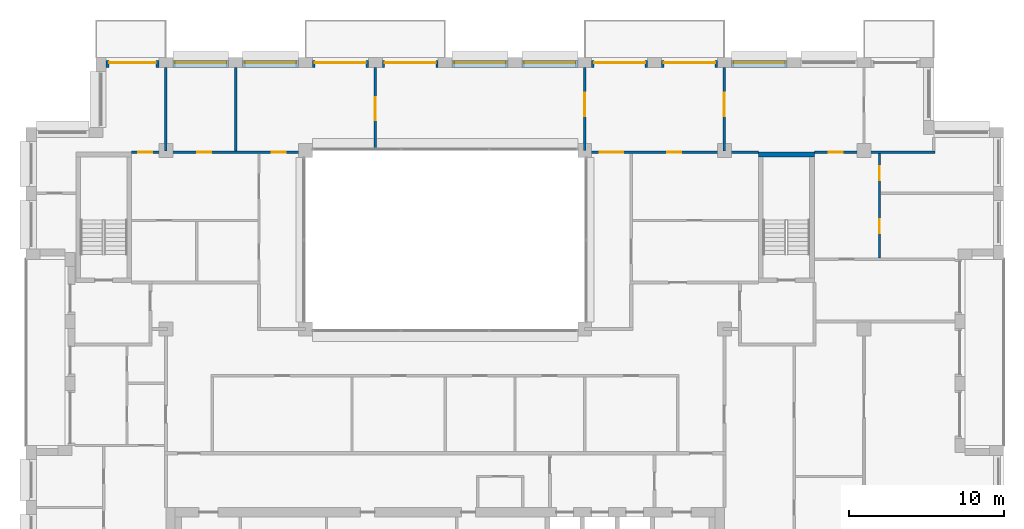
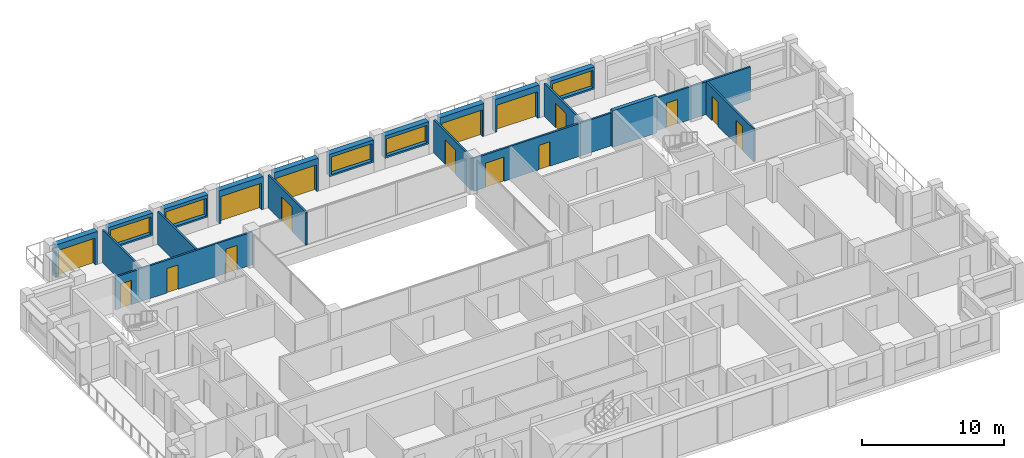
# One storey, part 13 of 15: 20 walls, 16 doors, 5 windows, 21 openings.
"""IFC4 building model written with IfcOpenShell, lengths in metres."""

from ifc_helpers import new_model, si_unit, direction, frame, frame_2d, origin, place, context, subcontext, project, spatial, rectangle, extrude, material, layer, layer_set, type_object, element, fill, save


model = new_model("IFC4")

# Units and contexts
model_context = context("Model", 3, precision=1e-05, world=origin(), true_north=direction((0.0, 1.0)))
body_context = subcontext(model_context, "Body", "Model", "MODEL_VIEW")
ifc_project = project(units=[si_unit("LENGTHUNIT", "METRE"), si_unit("AREAUNIT", "SQUARE_METRE"), si_unit("VOLUMEUNIT", "CUBIC_METRE"), si_unit("PLANEANGLEUNIT", "RADIAN"), si_unit("MASSUNIT", "GRAM", prefix="KILO")], contexts=[model_context])

# Site, building, storey
site_placement = place(None, origin())
site = spatial("IfcSite", under=ifc_project, at=site_placement, CompositionType="ELEMENT")
building_placement = place(site_placement, origin())
building = spatial("IfcBuilding", under=site, at=building_placement, Name="Brigalow Station Residences", CompositionType="ELEMENT")
storey_placement = place(building_placement, frame((0.0, 0.0, 226.35009765625)))
storey = spatial("IfcBuildingStorey", under=building, at=storey_placement, Name="L65", CompositionType="ELEMENT", Elevation=226.35009765625)

# Wall, opening, window
ifc_material_1 = material(Name="Clay brick masonry", Category="masonry")
ifc_layer_1 = layer(ifc_material_1, 0.449951171875)
ifc_layer_set_1 = layer_set([ifc_layer_1], Name="BRICK INFILL WALL 450")
wall_type_1 = type_object("IfcWallType", Name="BRICK INFILL WALL 450", PredefinedType="SOLIDWALL", material=ifc_layer_set_1)
wall_1_placement = place(storey_placement, frame((58.050048828125, 41.074951171875, 0.89990234375), z_axis=(0.0, 0.0, 1.0), x_axis=(-1.0, 0.0, 0.0)))
wall_1 = element("IfcWall", 1, at=wall_1_placement, inside=storey, type_object=wall_type_1, Name="L65/ewall/W-L65-22", PredefinedType="SOLIDWALL", context=body_context, shape_type="SweptSolid", body=[
    extrude(rectangle(XDim=3.60009765625, YDim=0.449951171875, at=frame_2d((1.800048828125, 0.0))), origin(), (0.0, 0.0, 1.0), 1.929931640625),
])
opening_1_placement = place(wall_1_placement, frame((0.14990234375, 0.0, 0.14990234375)))
opening_1 = element("IfcOpeningElement", 2, at=opening_1_placement, cuts=wall_1, Name="Opening WT-10", PredefinedType="OPENING", context=body_context, shape_type="SweptSolid", body=[
    extrude(rectangle(XDim=3.300048828125, YDim=1.5, at=frame_2d((1.64990234375, 0.75))), frame((0.0, 0.23486328125, 0.0), z_axis=(0.0, -1.0, 0.0), x_axis=(1.0, 0.0, 0.0)), (0.0, 0.0, 1.0), 0.469970703125),
])
ifc_material_2 = material(Name="Anodised aluminium frame with double glazing", Category="aluminium")
window_type = type_object("IfcWindowType", Name="WINDOW 3300x1500", PartitioningType="SINGLE_PANEL", PredefinedType="WINDOW", material=ifc_material_2)
window_1_placement = place(opening_1_placement, origin())
window_1 = element("IfcWindow", 3, at=window_1_placement, inside=storey, type_object=window_type, Name="L65/window/W-L65-22", OverallHeight=1.5, OverallWidth=3.300048828125, PartitioningType="SINGLE_PANEL", PredefinedType="WINDOW", context=body_context, shape_type="SweptSolid", body=[
    extrude(rectangle(XDim=3.300048828125, YDim=1.5, at=frame_2d((1.64990234375, 0.75))), frame((0.0, -0.06494140625, 0.0), z_axis=(0.0, -1.0, 0.0), x_axis=(1.0, 0.0, 0.0)), (0.0, 0.0, 1.0), 0.06005859375),
])
fill(opening_1, window_1)

# Wall, opening, door
wall_2_placement = place(storey_placement, frame((53.550048828125, 41.074951171875, 0.0), z_axis=(0.0, 0.0, 1.0), x_axis=(-1.0, 0.0, 0.0)))
wall_2 = element("IfcWall", 4, at=wall_2_placement, inside=storey, type_object=wall_type_1, Name="L65/ewall/W-L65-23", PredefinedType="SOLIDWALL", context=body_context, shape_type="SweptSolid", body=[
    extrude(rectangle(XDim=3.60009765625, YDim=0.449951171875, at=frame_2d((1.800048828125, 0.0))), origin(), (0.0, 0.0, 1.0), 2.829833984375),
])
opening_2_placement = place(wall_2_placement, frame((0.14990234375, 0.0, 0.0)))
opening_2 = element("IfcOpeningElement", 5, at=opening_2_placement, cuts=wall_2, Name="Opening D-B3300", PredefinedType="OPENING", context=body_context, shape_type="SweptSolid", body=[
    extrude(rectangle(XDim=3.300048828125, YDim=2.300048828125, at=frame_2d((1.64990234375, 1.14990234375))), frame((0.0, 0.23486328125, 0.0), z_axis=(0.0, -1.0, 0.0), x_axis=(1.0, 0.0, 0.0)), (0.0, 0.0, 1.0), 0.469970703125),
])
ifc_material_3 = material(Name="Anodised aluminium frame with double glazing", Category="aluminium")
door_type_1 = type_object("IfcDoorType", Name="BALCONY SLIDING DOOR 3300x2300", OperationType="SLIDING_TO_LEFT", PredefinedType="DOOR", material=ifc_material_3)
door_1_placement = place(opening_2_placement, origin())
door_1 = element("IfcDoor", 6, at=door_1_placement, inside=storey, type_object=door_type_1, Name="L65/balcony-door/W-L65-23", OperationType="SLIDING_TO_LEFT", OverallHeight=2.300048828125, OverallWidth=3.300048828125, PredefinedType="DOOR", context=body_context, shape_type="SweptSolid", body=[
    extrude(rectangle(XDim=3.300048828125, YDim=2.300048828125, at=frame_2d((1.64990234375, 1.14990234375))), frame((0.0, -0.06982421875, 0.0), z_axis=(0.0, -1.0, 0.0), x_axis=(1.0, 0.0, 0.0)), (0.0, 0.0, 1.0), 0.050048828125),
])
fill(opening_2, door_1)

wall_3_placement = place(storey_placement, frame((49.050048828125, 41.074951171875, 0.0), z_axis=(0.0, 0.0, 1.0), x_axis=(-1.0, 0.0, 0.0)))
wall_3 = element("IfcWall", 7, at=wall_3_placement, inside=storey, type_object=wall_type_1, Name="L65/ewall/W-L65-24", PredefinedType="SOLIDWALL", context=body_context, shape_type="SweptSolid", body=[
    extrude(rectangle(XDim=3.60009765625, YDim=0.449951171875, at=frame_2d((1.800048828125, 0.0))), origin(), (0.0, 0.0, 1.0), 2.829833984375),
])
opening_3_placement = place(wall_3_placement, frame((0.14990234375, 0.0, 0.0)))
opening_3 = element("IfcOpeningElement", 8, at=opening_3_placement, cuts=wall_3, Name="Opening D-B3300", PredefinedType="OPENING", context=body_context, shape_type="SweptSolid", body=[
    extrude(rectangle(XDim=3.300048828125, YDim=2.300048828125, at=frame_2d((1.64990234375, 1.14990234375))), frame((0.0, 0.23486328125, 0.0), z_axis=(0.0, -1.0, 0.0), x_axis=(1.0, 0.0, 0.0)), (0.0, 0.0, 1.0), 0.469970703125),
])
door_2_placement = place(opening_3_placement, origin())
door_2 = element("IfcDoor", 9, at=door_2_placement, inside=storey, type_object=door_type_1, Name="L65/balcony-door/W-L65-24", OperationType="SLIDING_TO_LEFT", OverallHeight=2.300048828125, OverallWidth=3.300048828125, PredefinedType="DOOR", context=body_context, shape_type="SweptSolid", body=[
    extrude(rectangle(XDim=3.300048828125, YDim=2.300048828125, at=frame_2d((1.64990234375, 1.14990234375))), frame((0.0, -0.06982421875, 0.0), z_axis=(0.0, -1.0, 0.0), x_axis=(1.0, 0.0, 0.0)), (0.0, 0.0, 1.0), 0.050048828125),
])
fill(opening_3, door_2)

# Wall, opening, window
wall_4_placement = place(storey_placement, frame((44.550048828125, 41.074951171875, 0.89990234375), z_axis=(0.0, 0.0, 1.0), x_axis=(-1.0, 0.0, 0.0)))
wall_4 = element("IfcWall", 10, at=wall_4_placement, inside=storey, type_object=wall_type_1, Name="L65/ewall/W-L65-25", PredefinedType="SOLIDWALL", context=body_context, shape_type="SweptSolid", body=[
    extrude(rectangle(XDim=3.60009765625, YDim=0.449951171875, at=frame_2d((1.800048828125, 0.0))), origin(), (0.0, 0.0, 1.0), 1.929931640625),
])
opening_4_placement = place(wall_4_placement, frame((0.14990234375, 0.0, 0.14990234375)))
opening_4 = element("IfcOpeningElement", 11, at=opening_4_placement, cuts=wall_4, Name="Opening WT-10", PredefinedType="OPENING", context=body_context, shape_type="SweptSolid", body=[
    extrude(rectangle(XDim=3.300048828125, YDim=1.5, at=frame_2d((1.64990234375, 0.75))), frame((0.0, 0.23486328125, 0.0), z_axis=(0.0, -1.0, 0.0), x_axis=(1.0, 0.0, 0.0)), (0.0, 0.0, 1.0), 0.469970703125),
])
window_2_placement = place(opening_4_placement, origin())
window_2 = element("IfcWindow", 12, at=window_2_placement, inside=storey, type_object=window_type, Name="L65/window/W-L65-25", OverallHeight=1.5, OverallWidth=3.300048828125, PartitioningType="SINGLE_PANEL", PredefinedType="WINDOW", context=body_context, shape_type="SweptSolid", body=[
    extrude(rectangle(XDim=3.300048828125, YDim=1.5, at=frame_2d((1.64990234375, 0.75))), frame((0.0, -0.06494140625, 0.0), z_axis=(0.0, -1.0, 0.0), x_axis=(1.0, 0.0, 0.0)), (0.0, 0.0, 1.0), 0.06005859375),
])
fill(opening_4, window_2)

wall_5_placement = place(storey_placement, frame((40.050048828125, 41.074951171875, 0.89990234375), z_axis=(0.0, 0.0, 1.0), x_axis=(-1.0, 0.0, 0.0)))
wall_5 = element("IfcWall", 13, at=wall_5_placement, inside=storey, type_object=wall_type_1, Name="L65/ewall/W-L65-26", PredefinedType="SOLIDWALL", context=body_context, shape_type="SweptSolid", body=[
    extrude(rectangle(XDim=3.60009765625, YDim=0.449951171875, at=frame_2d((1.800048828125, 0.0))), origin(), (0.0, 0.0, 1.0), 1.929931640625),
])
opening_5_placement = place(wall_5_placement, frame((0.14990234375, 0.0, 0.14990234375)))
opening_5 = element("IfcOpeningElement", 14, at=opening_5_placement, cuts=wall_5, Name="Opening WT-10", PredefinedType="OPENING", context=body_context, shape_type="SweptSolid", body=[
    extrude(rectangle(XDim=3.300048828125, YDim=1.5, at=frame_2d((1.64990234375, 0.75))), frame((0.0, 0.23486328125, 0.0), z_axis=(0.0, -1.0, 0.0), x_axis=(1.0, 0.0, 0.0)), (0.0, 0.0, 1.0), 0.469970703125),
])
window_3_placement = place(opening_5_placement, origin())
window_3 = element("IfcWindow", 15, at=window_3_placement, inside=storey, type_object=window_type, Name="L65/window/W-L65-26", OverallHeight=1.5, OverallWidth=3.300048828125, PartitioningType="SINGLE_PANEL", PredefinedType="WINDOW", context=body_context, shape_type="SweptSolid", body=[
    extrude(rectangle(XDim=3.300048828125, YDim=1.5, at=frame_2d((1.64990234375, 0.75))), frame((0.0, -0.06494140625, 0.0), z_axis=(0.0, -1.0, 0.0), x_axis=(1.0, 0.0, 0.0)), (0.0, 0.0, 1.0), 0.06005859375),
])
fill(opening_5, window_3)

# Wall, opening, door
wall_6_placement = place(storey_placement, frame((35.550048828125, 41.074951171875, 0.0), z_axis=(0.0, 0.0, 1.0), x_axis=(-1.0, 0.0, 0.0)))
wall_6 = element("IfcWall", 16, at=wall_6_placement, inside=storey, type_object=wall_type_1, Name="L65/ewall/W-L65-27", PredefinedType="SOLIDWALL", context=body_context, shape_type="SweptSolid", body=[
    extrude(rectangle(XDim=3.60009765625, YDim=0.449951171875, at=frame_2d((1.800048828125, 0.0))), origin(), (0.0, 0.0, 1.0), 2.829833984375),
])
opening_6_placement = place(wall_6_placement, frame((0.14990234375, 0.0, 0.0)))
opening_6 = element("IfcOpeningElement", 17, at=opening_6_placement, cuts=wall_6, Name="Opening D-B3300", PredefinedType="OPENING", context=body_context, shape_type="SweptSolid", body=[
    extrude(rectangle(XDim=3.300048828125, YDim=2.300048828125, at=frame_2d((1.64990234375, 1.14990234375))), frame((0.0, 0.23486328125, 0.0), z_axis=(0.0, -1.0, 0.0), x_axis=(1.0, 0.0, 0.0)), (0.0, 0.0, 1.0), 0.469970703125),
])
door_3_placement = place(opening_6_placement, origin())
door_3 = element("IfcDoor", 18, at=door_3_placement, inside=storey, type_object=door_type_1, Name="L65/balcony-door/W-L65-27", OperationType="SLIDING_TO_LEFT", OverallHeight=2.300048828125, OverallWidth=3.300048828125, PredefinedType="DOOR", context=body_context, shape_type="SweptSolid", body=[
    extrude(rectangle(XDim=3.300048828125, YDim=2.300048828125, at=frame_2d((1.64990234375, 1.14990234375))), frame((0.0, -0.06982421875, 0.0), z_axis=(0.0, -1.0, 0.0), x_axis=(1.0, 0.0, 0.0)), (0.0, 0.0, 1.0), 0.050048828125),
])
fill(opening_6, door_3)

wall_7_placement = place(storey_placement, frame((31.050048828125, 41.074951171875, 0.0), z_axis=(0.0, 0.0, 1.0), x_axis=(-1.0, 0.0, 0.0)))
wall_7 = element("IfcWall", 19, at=wall_7_placement, inside=storey, type_object=wall_type_1, Name="L65/ewall/W-L65-28", PredefinedType="SOLIDWALL", context=body_context, shape_type="SweptSolid", body=[
    extrude(rectangle(XDim=3.60009765625, YDim=0.449951171875, at=frame_2d((1.800048828125, 0.0))), origin(), (0.0, 0.0, 1.0), 2.829833984375),
])
opening_7_placement = place(wall_7_placement, frame((0.14990234375, 0.0, 0.0)))
opening_7 = element("IfcOpeningElement", 20, at=opening_7_placement, cuts=wall_7, Name="Opening D-B3300", PredefinedType="OPENING", context=body_context, shape_type="SweptSolid", body=[
    extrude(rectangle(XDim=3.300048828125, YDim=2.300048828125, at=frame_2d((1.64990234375, 1.14990234375))), frame((0.0, 0.23486328125, 0.0), z_axis=(0.0, -1.0, 0.0), x_axis=(1.0, 0.0, 0.0)), (0.0, 0.0, 1.0), 0.469970703125),
])
door_4_placement = place(opening_7_placement, origin())
door_4 = element("IfcDoor", 21, at=door_4_placement, inside=storey, type_object=door_type_1, Name="L65/balcony-door/W-L65-28", OperationType="SLIDING_TO_LEFT", OverallHeight=2.300048828125, OverallWidth=3.300048828125, PredefinedType="DOOR", context=body_context, shape_type="SweptSolid", body=[
    extrude(rectangle(XDim=3.300048828125, YDim=2.300048828125, at=frame_2d((1.64990234375, 1.14990234375))), frame((0.0, -0.06982421875, 0.0), z_axis=(0.0, -1.0, 0.0), x_axis=(1.0, 0.0, 0.0)), (0.0, 0.0, 1.0), 0.050048828125),
])
fill(opening_7, door_4)

# Wall, opening, window
wall_8_placement = place(storey_placement, frame((26.550048828125, 41.074951171875, 0.89990234375), z_axis=(0.0, 0.0, 1.0), x_axis=(-1.0, 0.0, 0.0)))
wall_8 = element("IfcWall", 22, at=wall_8_placement, inside=storey, type_object=wall_type_1, Name="L65/ewall/W-L65-29", PredefinedType="SOLIDWALL", context=body_context, shape_type="SweptSolid", body=[
    extrude(rectangle(XDim=3.60009765625, YDim=0.449951171875, at=frame_2d((1.800048828125, 0.0))), origin(), (0.0, 0.0, 1.0), 1.929931640625),
])
opening_8_placement = place(wall_8_placement, frame((0.14990234375, 0.0, 0.14990234375)))
opening_8 = element("IfcOpeningElement", 23, at=opening_8_placement, cuts=wall_8, Name="Opening WT-10", PredefinedType="OPENING", context=body_context, shape_type="SweptSolid", body=[
    extrude(rectangle(XDim=3.300048828125, YDim=1.5, at=frame_2d((1.64990234375, 0.75))), frame((0.0, 0.23486328125, 0.0), z_axis=(0.0, -1.0, 0.0), x_axis=(1.0, 0.0, 0.0)), (0.0, 0.0, 1.0), 0.469970703125),
])
window_4_placement = place(opening_8_placement, origin())
window_4 = element("IfcWindow", 24, at=window_4_placement, inside=storey, type_object=window_type, Name="L65/window/W-L65-29", OverallHeight=1.5, OverallWidth=3.300048828125, PartitioningType="SINGLE_PANEL", PredefinedType="WINDOW", context=body_context, shape_type="SweptSolid", body=[
    extrude(rectangle(XDim=3.300048828125, YDim=1.5, at=frame_2d((1.64990234375, 0.75))), frame((0.0, -0.06494140625, 0.0), z_axis=(0.0, -1.0, 0.0), x_axis=(1.0, 0.0, 0.0)), (0.0, 0.0, 1.0), 0.06005859375),
])
fill(opening_8, window_4)

wall_9_placement = place(storey_placement, frame((22.050048828125, 41.074951171875, 0.89990234375), z_axis=(0.0, 0.0, 1.0), x_axis=(-1.0, 0.0, 0.0)))
wall_9 = element("IfcWall", 25, at=wall_9_placement, inside=storey, type_object=wall_type_1, Name="L65/ewall/W-L65-30", PredefinedType="SOLIDWALL", context=body_context, shape_type="SweptSolid", body=[
    extrude(rectangle(XDim=3.60009765625, YDim=0.449951171875, at=frame_2d((1.800048828125, 0.0))), origin(), (0.0, 0.0, 1.0), 1.929931640625),
])
opening_9_placement = place(wall_9_placement, frame((0.14990234375, 0.0, 0.14990234375)))
opening_9 = element("IfcOpeningElement", 26, at=opening_9_placement, cuts=wall_9, Name="Opening WT-10", PredefinedType="OPENING", context=body_context, shape_type="SweptSolid", body=[
    extrude(rectangle(XDim=3.300048828125, YDim=1.5, at=frame_2d((1.64990234375, 0.75))), frame((0.0, 0.23486328125, 0.0), z_axis=(0.0, -1.0, 0.0), x_axis=(1.0, 0.0, 0.0)), (0.0, 0.0, 1.0), 0.469970703125),
])
window_5_placement = place(opening_9_placement, origin())
window_5 = element("IfcWindow", 27, at=window_5_placement, inside=storey, type_object=window_type, Name="L65/window/W-L65-30", OverallHeight=1.5, OverallWidth=3.300048828125, PartitioningType="SINGLE_PANEL", PredefinedType="WINDOW", context=body_context, shape_type="SweptSolid", body=[
    extrude(rectangle(XDim=3.300048828125, YDim=1.5, at=frame_2d((1.64990234375, 0.75))), frame((0.0, -0.06494140625, 0.0), z_axis=(0.0, -1.0, 0.0), x_axis=(1.0, 0.0, 0.0)), (0.0, 0.0, 1.0), 0.06005859375),
])
fill(opening_9, window_5)

# Wall, opening, door
wall_10_placement = place(storey_placement, frame((17.550048828125, 41.074951171875, 0.0), z_axis=(0.0, 0.0, 1.0), x_axis=(-1.0, 0.0, 0.0)))
wall_10 = element("IfcWall", 28, at=wall_10_placement, inside=storey, type_object=wall_type_1, Name="L65/ewall/W-L65-31", PredefinedType="SOLIDWALL", context=body_context, shape_type="SweptSolid", body=[
    extrude(rectangle(XDim=3.400146484375, YDim=0.449951171875, at=frame_2d((1.7001953125, 0.0))), origin(), (0.0, 0.0, 1.0), 2.829833984375),
])
opening_10_placement = place(wall_10_placement, frame((0.199951171875, 0.0, 0.0)))
opening_10 = element("IfcOpeningElement", 29, at=opening_10_placement, cuts=wall_10, Name="Opening D-B3000", PredefinedType="OPENING", context=body_context, shape_type="SweptSolid", body=[
    extrude(rectangle(XDim=3.0, YDim=2.300048828125, at=frame_2d((1.5, 1.14990234375))), frame((0.0, 0.23486328125, 0.0), z_axis=(0.0, -1.0, 0.0), x_axis=(1.0, 0.0, 0.0)), (0.0, 0.0, 1.0), 0.469970703125),
])
ifc_material_4 = material(Name="Anodised aluminium frame with double glazing", Category="aluminium")
door_type_2 = type_object("IfcDoorType", Name="BALCONY SLIDING DOOR 3000x2300", OperationType="SLIDING_TO_LEFT", PredefinedType="DOOR", material=ifc_material_4)
door_5_placement = place(opening_10_placement, origin())
door_5 = element("IfcDoor", 30, at=door_5_placement, inside=storey, type_object=door_type_2, Name="L65/balcony-door/W-L65-31", OperationType="SLIDING_TO_LEFT", OverallHeight=2.300048828125, OverallWidth=3.0, PredefinedType="DOOR", context=body_context, shape_type="SweptSolid", body=[
    extrude(rectangle(XDim=3.0, YDim=2.300048828125, at=frame_2d((1.5, 1.14990234375))), frame((0.0, -0.06982421875, 0.0), z_axis=(0.0, -1.0, 0.0), x_axis=(1.0, 0.0, 0.0)), (0.0, 0.0, 1.0), 0.050048828125),
])
fill(opening_10, door_5)

# Wall
ifc_material_5 = material(Name="Concrete C50", Category="concrete")
ifc_layer_2 = layer(ifc_material_5, 0.300048828125)
ifc_layer_set_2 = layer_set([ifc_layer_2], Name="CORE SHEAR WALL 300 C50")
wall_type_2 = type_object("IfcWallType", Name="CORE SHEAR WALL 300 C50", PredefinedType="SHEAR", material=ifc_layer_set_2)
wall_11_placement = place(storey_placement, frame((56.199951171875, 35.25, 0.0), z_axis=(0.0, 0.0, 1.0), x_axis=(1.0, 0.0, 0.0)))
element("IfcWall", 31, at=wall_11_placement, inside=storey, type_object=wall_type_2, Name="CORE WALL ST-S3-N L65", PredefinedType="SHEAR", context=body_context, shape_type="SweptSolid", body=[
    extrude(rectangle(XDim=3.60009765625, YDim=0.300048828125, at=frame_2d((1.800048828125, 0.0))), origin(), (0.0, 0.0, 1.0), 3.14990234375),
])

# Wall, openings, doors
ifc_material_6 = material(Name="Plasterboard on steel stud partition", Category="steel")
ifc_layer_3 = layer(ifc_material_6, 0.14990234375)
ifc_layer_set_3 = layer_set([ifc_layer_3], Name="FLAT PARTITION 150")
wall_type_3 = type_object("IfcWallType", Name="FLAT PARTITION 150", PredefinedType="PARTITIONING", material=ifc_layer_set_3)
wall_12_placement = place(storey_placement, frame((15.800048828125, 35.39990234375, 0.0), z_axis=(0.0, 0.0, 1.0), x_axis=(1.0, 0.0, 0.0)))
wall_12 = element("IfcWall", 32, at=wall_12_placement, inside=storey, type_object=wall_type_3, Name="PW-4D17", PredefinedType="PARTITIONING", context=body_context, shape_type="SweptSolid", body=[
    extrude(rectangle(XDim=11.199951171875, YDim=0.14990234375, at=frame_2d((5.60009765625, 0.0))), origin(), (0.0, 0.0, 1.0), 2.829833984375),
])
opening_11_placement = place(wall_12_placement, frame((9.02490234375, 0.0, 0.0)))
opening_11 = element("IfcOpeningElement", 33, at=opening_11_placement, cuts=wall_12, Name="Opening D-4D18", PredefinedType="OPENING", context=body_context, shape_type="SweptSolid", body=[
    extrude(rectangle(XDim=0.89990234375, YDim=2.10009765625, at=frame_2d((0.449951171875, 1.050048828125))), frame((0.0, 0.0849609375, 0.0), z_axis=(0.0, -1.0, 0.0), x_axis=(1.0, 0.0, 0.0)), (0.0, 0.0, 1.0), 0.169921875),
])
opening_12_placement = place(wall_12_placement, frame((0.425048828125, 0.0, 0.0)))
opening_12 = element("IfcOpeningElement", 34, at=opening_12_placement, cuts=wall_12, Name="Opening D-4D22", PredefinedType="OPENING", context=body_context, shape_type="SweptSolid", body=[
    extrude(rectangle(XDim=0.89990234375, YDim=2.10009765625, at=frame_2d((0.449951171875, 1.050048828125))), frame((0.0, 0.0849609375, 0.0), z_axis=(0.0, -1.0, 0.0), x_axis=(1.0, 0.0, 0.0)), (0.0, 0.0, 1.0), 0.169921875),
])
opening_13_placement = place(wall_12_placement, frame((4.22509765625, 0.0, 0.0)))
opening_13 = element("IfcOpeningElement", 35, at=opening_13_placement, cuts=wall_12, Name="Opening D-4D23", PredefinedType="OPENING", context=body_context, shape_type="SweptSolid", body=[
    extrude(rectangle(XDim=0.89990234375, YDim=2.10009765625, at=frame_2d((0.449951171875, 1.050048828125))), frame((0.0, 0.0849609375, 0.0), z_axis=(0.0, -1.0, 0.0), x_axis=(1.0, 0.0, 0.0)), (0.0, 0.0, 1.0), 0.169921875),
])
ifc_material_7 = material(Name="Solid-core timber door leaf", Category="wood")
door_type_3 = type_object("IfcDoorType", Name="INTERNAL DOOR 900 x 2100", OperationType="SINGLE_SWING_LEFT", PredefinedType="DOOR", material=ifc_material_7)
door_6_placement = place(opening_11_placement, frame((0.89990234375, 0.0, 0.0), z_axis=(0.0, 0.0, 1.0), x_axis=(-1.0, 0.0, 0.0)))
door_6 = element("IfcDoor", 36, at=door_6_placement, inside=storey, type_object=door_type_3, Name="D-4D18", OperationType="SINGLE_SWING_RIGHT", OverallHeight=2.10009765625, OverallWidth=0.89990234375, PredefinedType="DOOR", context=body_context, shape_type="SweptSolid", body=[
    extrude(rectangle(XDim=0.89990234375, YDim=2.10009765625, at=frame_2d((0.449951171875, 1.050048828125))), frame((0.0, 0.02490234375, 0.0), z_axis=(0.0, -1.0, 0.0), x_axis=(1.0, 0.0, 0.0)), (0.0, 0.0, 1.0), 0.050048828125),
])
fill(opening_11, door_6)
door_7_placement = place(opening_12_placement, origin())
door_7 = element("IfcDoor", 37, at=door_7_placement, inside=storey, type_object=door_type_3, Name="D-4D22", OperationType="SINGLE_SWING_RIGHT", OverallHeight=2.10009765625, OverallWidth=0.89990234375, PredefinedType="DOOR", context=body_context, shape_type="SweptSolid", body=[
    extrude(rectangle(XDim=0.89990234375, YDim=2.10009765625, at=frame_2d((0.449951171875, 1.050048828125))), frame((0.0, 0.02490234375, 0.0), z_axis=(0.0, -1.0, 0.0), x_axis=(1.0, 0.0, 0.0)), (0.0, 0.0, 1.0), 0.050048828125),
])
fill(opening_12, door_7)
door_8_placement = place(opening_13_placement, origin())
door_8 = element("IfcDoor", 38, at=door_8_placement, inside=storey, type_object=door_type_3, Name="D-4D23", OperationType="SINGLE_SWING_RIGHT", OverallHeight=2.10009765625, OverallWidth=0.89990234375, PredefinedType="DOOR", context=body_context, shape_type="SweptSolid", body=[
    extrude(rectangle(XDim=0.89990234375, YDim=2.10009765625, at=frame_2d((0.449951171875, 1.050048828125))), frame((0.0, 0.02490234375, 0.0), z_axis=(0.0, -1.0, 0.0), x_axis=(1.0, 0.0, 0.0)), (0.0, 0.0, 1.0), 0.050048828125),
])
fill(opening_13, door_8)

wall_13_placement = place(storey_placement, frame((45.0, 35.39990234375, 0.0), z_axis=(0.0, 0.0, 1.0), x_axis=(1.0, 0.0, 0.0)))
wall_13 = element("IfcWall", 39, at=wall_13_placement, inside=storey, type_object=wall_type_3, Name="PW-4D18", PredefinedType="PARTITIONING", context=body_context, shape_type="SweptSolid", body=[
    extrude(rectangle(XDim=11.199951171875, YDim=0.14990234375, at=frame_2d((5.60009765625, 0.0))), origin(), (0.0, 0.0, 1.0), 2.829833984375),
])
opening_14_placement = place(wall_13_placement, frame((5.324951171875, 0.0, 0.0)))
opening_14 = element("IfcOpeningElement", 40, at=opening_14_placement, cuts=wall_13, Name="Opening D-4D14", PredefinedType="OPENING", context=body_context, shape_type="SweptSolid", body=[
    extrude(rectangle(XDim=0.89990234375, YDim=2.10009765625, at=frame_2d((0.449951171875, 1.050048828125))), frame((0.0, 0.0849609375, 0.0), z_axis=(0.0, -1.0, 0.0), x_axis=(1.0, 0.0, 0.0)), (0.0, 0.0, 1.0), 0.169921875),
])
opening_15_placement = place(wall_13_placement, frame((0.97509765625, 0.0, 0.0)))
opening_15 = element("IfcOpeningElement", 41, at=opening_15_placement, cuts=wall_13, Name="Opening D-4D15", PredefinedType="OPENING", context=body_context, shape_type="SweptSolid", body=[
    extrude(rectangle(XDim=1.5, YDim=2.10009765625, at=frame_2d((0.75, 1.050048828125))), frame((0.0, 0.0849609375, 0.0), z_axis=(0.0, -1.0, 0.0), x_axis=(1.0, 0.0, 0.0)), (0.0, 0.0, 1.0), 0.169921875),
])
door_9_placement = place(opening_14_placement, frame((0.89990234375, 0.0, 0.0), z_axis=(0.0, 0.0, 1.0), x_axis=(-1.0, 0.0, 0.0)))
door_9 = element("IfcDoor", 42, at=door_9_placement, inside=storey, type_object=door_type_3, Name="D-4D14", OperationType="SINGLE_SWING_RIGHT", OverallHeight=2.10009765625, OverallWidth=0.89990234375, PredefinedType="DOOR", context=body_context, shape_type="SweptSolid", body=[
    extrude(rectangle(XDim=0.89990234375, YDim=2.10009765625, at=frame_2d((0.449951171875, 1.050048828125))), frame((0.0, 0.02490234375, 0.0), z_axis=(0.0, -1.0, 0.0), x_axis=(1.0, 0.0, 0.0)), (0.0, 0.0, 1.0), 0.050048828125),
])
fill(opening_14, door_9)
ifc_material_8 = material(Name="Solid-core timber door leaf", Category="wood")
door_type_4 = type_object("IfcDoorType", Name="INTERNAL DOUBLE DOOR 1500 x 2100", OperationType="DOUBLE_DOOR_SINGLE_SWING", PredefinedType="DOOR", material=ifc_material_8)
door_10_placement = place(opening_15_placement, frame((1.5, 0.0, 0.0), z_axis=(0.0, 0.0, 1.0), x_axis=(-1.0, 0.0, 0.0)))
door_10 = element("IfcDoor", 43, at=door_10_placement, inside=storey, type_object=door_type_4, Name="D-4D15", OperationType="DOUBLE_DOOR_SINGLE_SWING", OverallHeight=2.10009765625, OverallWidth=1.5, PredefinedType="DOOR", context=body_context, shape_type="SweptSolid", body=[
    extrude(rectangle(XDim=1.5, YDim=2.10009765625, at=frame_2d((0.75, 1.050048828125))), frame((0.0, 0.02490234375, 0.0), z_axis=(0.0, -1.0, 0.0), x_axis=(1.0, 0.0, 0.0)), (0.0, 0.0, 1.0), 0.050048828125),
])
fill(opening_15, door_10)

# Wall, opening, door
wall_14_placement = place(storey_placement, frame((59.800048828125, 35.39990234375, 0.0), z_axis=(0.0, 0.0, 1.0), x_axis=(1.0, 0.0, 0.0)))
wall_14 = element("IfcWall", 44, at=wall_14_placement, inside=storey, type_object=wall_type_3, Name="PW-4D19", PredefinedType="PARTITIONING", context=body_context, shape_type="SweptSolid", body=[
    extrude(rectangle(XDim=7.77490234375, YDim=0.14990234375, at=frame_2d((3.887451171875, 0.0))), origin(), (0.0, 0.0, 1.0), 2.829833984375),
])
opening_16_placement = place(wall_14_placement, frame((0.925048828125, 0.0, 0.0)))
opening_16 = element("IfcOpeningElement", 45, at=opening_16_placement, cuts=wall_14, Name="Opening D-4D27", PredefinedType="OPENING", context=body_context, shape_type="SweptSolid", body=[
    extrude(rectangle(XDim=0.89990234375, YDim=2.10009765625, at=frame_2d((0.449951171875, 1.050048828125))), frame((0.0, 0.0849609375, 0.0), z_axis=(0.0, -1.0, 0.0), x_axis=(1.0, 0.0, 0.0)), (0.0, 0.0, 1.0), 0.169921875),
])
door_11_placement = place(opening_16_placement, origin())
door_11 = element("IfcDoor", 46, at=door_11_placement, inside=storey, type_object=door_type_3, Name="D-4D27", OperationType="SINGLE_SWING_RIGHT", OverallHeight=2.10009765625, OverallWidth=0.89990234375, PredefinedType="DOOR", context=body_context, shape_type="SweptSolid", body=[
    extrude(rectangle(XDim=0.89990234375, YDim=2.10009765625, at=frame_2d((0.449951171875, 1.050048828125))), frame((0.0, 0.02490234375, 0.0), z_axis=(0.0, -1.0, 0.0), x_axis=(1.0, 0.0, 0.0)), (0.0, 0.0, 1.0), 0.050048828125),
])
fill(opening_16, door_11)

# Wall
wall_15_placement = place(storey_placement, frame((18.0, 35.47509765625, 0.0), z_axis=(0.0, 0.0, 1.0), x_axis=(0.0, 1.0, 0.0)))
element("IfcWall", 47, at=wall_15_placement, inside=storey, type_object=wall_type_3, Name="PW-4D28", PredefinedType="PARTITIONING", context=body_context, shape_type="SweptSolid", body=[
    extrude(rectangle(XDim=5.375, YDim=0.14990234375, at=frame_2d((2.6875, 0.0))), origin(), (0.0, 0.0, 1.0), 2.829833984375),
])

# Wall, opening, door
wall_16_placement = place(storey_placement, frame((54.0, 35.47509765625, 0.0), z_axis=(0.0, 0.0, 1.0), x_axis=(0.0, 1.0, 0.0)))
wall_16 = element("IfcWall", 48, at=wall_16_placement, inside=storey, type_object=wall_type_3, Name="PW-4D30", PredefinedType="PARTITIONING", context=body_context, shape_type="SweptSolid", body=[
    extrude(rectangle(XDim=5.375, YDim=0.14990234375, at=frame_2d((2.6875, 0.0))), origin(), (0.0, 0.0, 1.0), 2.829833984375),
])
opening_17_placement = place(wall_16_placement, frame((2.25, 0.0, 0.0)))
opening_17 = element("IfcOpeningElement", 49, at=opening_17_placement, cuts=wall_16, Name="Opening D-4D25", PredefinedType="OPENING", context=body_context, shape_type="SweptSolid", body=[
    extrude(rectangle(XDim=1.5, YDim=2.10009765625, at=frame_2d((0.75, 1.050048828125))), frame((0.0, 0.0849609375, 0.0), z_axis=(0.0, -1.0, 0.0), x_axis=(1.0, 0.0, 0.0)), (0.0, 0.0, 1.0), 0.169921875),
])
door_12_placement = place(opening_17_placement, frame((1.5, 0.0, 0.0), z_axis=(0.0, 0.0, 1.0), x_axis=(-1.0, 0.0, 0.0)))
door_12 = element("IfcDoor", 50, at=door_12_placement, inside=storey, type_object=door_type_4, Name="D-4D25", OperationType="DOUBLE_DOOR_SINGLE_SWING", OverallHeight=2.10009765625, OverallWidth=1.5, PredefinedType="DOOR", context=body_context, shape_type="SweptSolid", body=[
    extrude(rectangle(XDim=1.5, YDim=2.10009765625, at=frame_2d((0.75, 1.050048828125))), frame((0.0, 0.02490234375, 0.0), z_axis=(0.0, -1.0, 0.0), x_axis=(1.0, 0.0, 0.0)), (0.0, 0.0, 1.0), 0.050048828125),
])
fill(opening_17, door_12)

wall_17_placement = place(storey_placement, frame((45.0, 35.5, 0.0), z_axis=(0.0, 0.0, 1.0), x_axis=(0.0, 1.0, 0.0)))
wall_17 = element("IfcWall", 51, at=wall_17_placement, inside=storey, type_object=wall_type_3, Name="PW-4D41", PredefinedType="PARTITIONING", context=body_context, shape_type="SweptSolid", body=[
    extrude(rectangle(XDim=5.35009765625, YDim=0.14990234375, at=frame_2d((2.675048828125, 0.0))), origin(), (0.0, 0.0, 1.0), 2.829833984375),
])
opening_18_placement = place(wall_17_placement, frame((2.22509765625, 0.0, 0.0)))
opening_18 = element("IfcOpeningElement", 52, at=opening_18_placement, cuts=wall_17, Name="Opening D-4D16", PredefinedType="OPENING", context=body_context, shape_type="SweptSolid", body=[
    extrude(rectangle(XDim=1.5, YDim=2.10009765625, at=frame_2d((0.75, 1.050048828125))), frame((0.0, 0.0849609375, 0.0), z_axis=(0.0, -1.0, 0.0), x_axis=(1.0, 0.0, 0.0)), (0.0, 0.0, 1.0), 0.169921875),
])
door_13_placement = place(opening_18_placement, frame((1.5, 0.0, 0.0), z_axis=(0.0, 0.0, 1.0), x_axis=(-1.0, 0.0, 0.0)))
door_13 = element("IfcDoor", 53, at=door_13_placement, inside=storey, type_object=door_type_4, Name="D-4D16", OperationType="DOUBLE_DOOR_SINGLE_SWING", OverallHeight=2.10009765625, OverallWidth=1.5, PredefinedType="DOOR", context=body_context, shape_type="SweptSolid", body=[
    extrude(rectangle(XDim=1.5, YDim=2.10009765625, at=frame_2d((0.75, 1.050048828125))), frame((0.0, 0.02490234375, 0.0), z_axis=(0.0, -1.0, 0.0), x_axis=(1.0, 0.0, 0.0)), (0.0, 0.0, 1.0), 0.050048828125),
])
fill(opening_18, door_13)

wall_18_placement = place(storey_placement, frame((31.5, 35.5, 0.0), z_axis=(0.0, 0.0, 1.0), x_axis=(0.0, 1.0, 0.0)))
wall_18 = element("IfcWall", 54, at=wall_18_placement, inside=storey, type_object=wall_type_3, Name="PW-4D42", PredefinedType="PARTITIONING", context=body_context, shape_type="SweptSolid", body=[
    extrude(rectangle(XDim=5.35009765625, YDim=0.14990234375, at=frame_2d((2.675048828125, 0.0))), origin(), (0.0, 0.0, 1.0), 2.829833984375),
])
opening_19_placement = place(wall_18_placement, frame((1.949951171875, 0.0, 0.0)))
opening_19 = element("IfcOpeningElement", 55, at=opening_19_placement, cuts=wall_18, Name="Opening D-4D17", PredefinedType="OPENING", context=body_context, shape_type="SweptSolid", body=[
    extrude(rectangle(XDim=1.5, YDim=2.10009765625, at=frame_2d((0.75, 1.050048828125))), frame((0.0, 0.0849609375, 0.0), z_axis=(0.0, -1.0, 0.0), x_axis=(1.0, 0.0, 0.0)), (0.0, 0.0, 1.0), 0.169921875),
])
door_14_placement = place(opening_19_placement, origin())
door_14 = element("IfcDoor", 56, at=door_14_placement, inside=storey, type_object=door_type_4, Name="D-4D17", OperationType="DOUBLE_DOOR_SINGLE_SWING", OverallHeight=2.10009765625, OverallWidth=1.5, PredefinedType="DOOR", context=body_context, shape_type="SweptSolid", body=[
    extrude(rectangle(XDim=1.5, YDim=2.10009765625, at=frame_2d((0.75, 1.050048828125))), frame((0.0, 0.02490234375, 0.0), z_axis=(0.0, -1.0, 0.0), x_axis=(1.0, 0.0, 0.0)), (0.0, 0.0, 1.0), 0.050048828125),
])
fill(opening_19, door_14)

# Wall
wall_19_placement = place(storey_placement, frame((22.5, 35.47509765625, 0.0), z_axis=(0.0, 0.0, 1.0), x_axis=(0.0, 1.0, 0.0)))
element("IfcWall", 57, at=wall_19_placement, inside=storey, type_object=wall_type_3, Name="PW-4D43", PredefinedType="PARTITIONING", context=body_context, shape_type="SweptSolid", body=[
    extrude(rectangle(XDim=5.375, YDim=0.14990234375, at=frame_2d((2.6875, 0.0))), origin(), (0.0, 0.0, 1.0), 2.829833984375),
])

# Wall, openings, doors
wall_20_placement = place(storey_placement, frame((64.0, 28.574951171875, 0.0), z_axis=(0.0, 0.0, 1.0), x_axis=(0.0, 1.0, 0.0)))
wall_20 = element("IfcWall", 58, at=wall_20_placement, inside=storey, type_object=wall_type_3, Name="PW-4D49", PredefinedType="PARTITIONING", context=body_context, shape_type="SweptSolid", body=[
    extrude(rectangle(XDim=6.75, YDim=0.14990234375, at=frame_2d((3.375, 0.0))), origin(), (0.0, 0.0, 1.0), 2.829833984375),
])
opening_20_placement = place(wall_20_placement, frame((1.60009765625, 0.0, 0.0)))
opening_20 = element("IfcOpeningElement", 59, at=opening_20_placement, cuts=wall_20, Name="Opening D-4D28", PredefinedType="OPENING", context=body_context, shape_type="SweptSolid", body=[
    extrude(rectangle(XDim=0.89990234375, YDim=2.10009765625, at=frame_2d((0.449951171875, 1.050048828125))), frame((0.0, 0.0849609375, 0.0), z_axis=(0.0, -1.0, 0.0), x_axis=(1.0, 0.0, 0.0)), (0.0, 0.0, 1.0), 0.169921875),
])
opening_21_placement = place(wall_20_placement, frame((5.02490234375, 0.0, 0.0)))
opening_21 = element("IfcOpeningElement", 60, at=opening_21_placement, cuts=wall_20, Name="Opening D-4D29", PredefinedType="OPENING", context=body_context, shape_type="SweptSolid", body=[
    extrude(rectangle(XDim=0.89990234375, YDim=2.10009765625, at=frame_2d((0.449951171875, 1.050048828125))), frame((0.0, 0.0849609375, 0.0), z_axis=(0.0, -1.0, 0.0), x_axis=(1.0, 0.0, 0.0)), (0.0, 0.0, 1.0), 0.169921875),
])
door_15_placement = place(opening_20_placement, frame((0.89990234375, 0.0, 0.0), z_axis=(0.0, 0.0, 1.0), x_axis=(-1.0, 0.0, 0.0)))
door_15 = element("IfcDoor", 61, at=door_15_placement, inside=storey, type_object=door_type_3, Name="D-4D28", OperationType="SINGLE_SWING_LEFT", OverallHeight=2.10009765625, OverallWidth=0.89990234375, PredefinedType="DOOR", context=body_context, shape_type="SweptSolid", body=[
    extrude(rectangle(XDim=0.89990234375, YDim=2.10009765625, at=frame_2d((0.449951171875, 1.050048828125))), frame((0.0, 0.02490234375, 0.0), z_axis=(0.0, -1.0, 0.0), x_axis=(1.0, 0.0, 0.0)), (0.0, 0.0, 1.0), 0.050048828125),
])
fill(opening_20, door_15)
door_16_placement = place(opening_21_placement, frame((0.89990234375, 0.0, 0.0), z_axis=(0.0, 0.0, 1.0), x_axis=(-1.0, 0.0, 0.0)))
door_16 = element("IfcDoor", 62, at=door_16_placement, inside=storey, type_object=door_type_3, Name="D-4D29", OperationType="SINGLE_SWING_RIGHT", OverallHeight=2.10009765625, OverallWidth=0.89990234375, PredefinedType="DOOR", context=body_context, shape_type="SweptSolid", body=[
    extrude(rectangle(XDim=0.89990234375, YDim=2.10009765625, at=frame_2d((0.449951171875, 1.050048828125))), frame((0.0, 0.02490234375, 0.0), z_axis=(0.0, -1.0, 0.0), x_axis=(1.0, 0.0, 0.0)), (0.0, 0.0, 1.0), 0.050048828125),
])
fill(opening_21, door_16)

save(model, "model.ifc")
